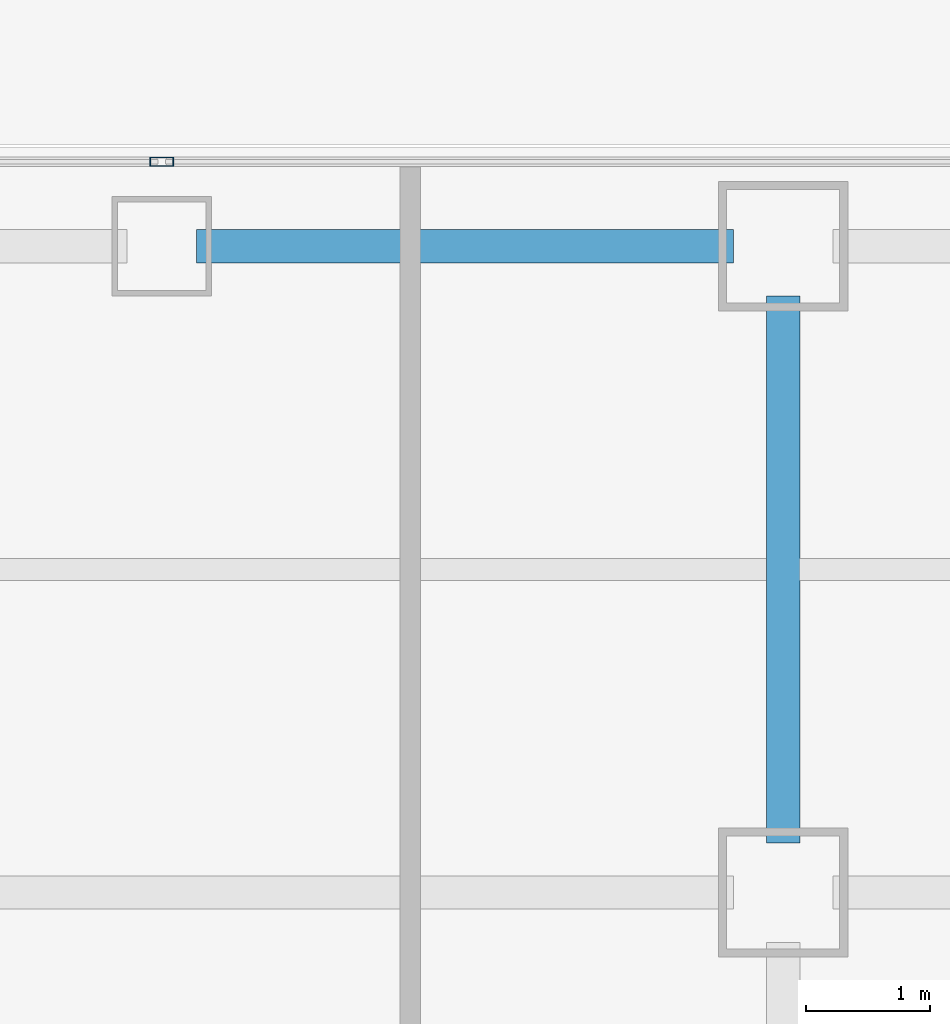
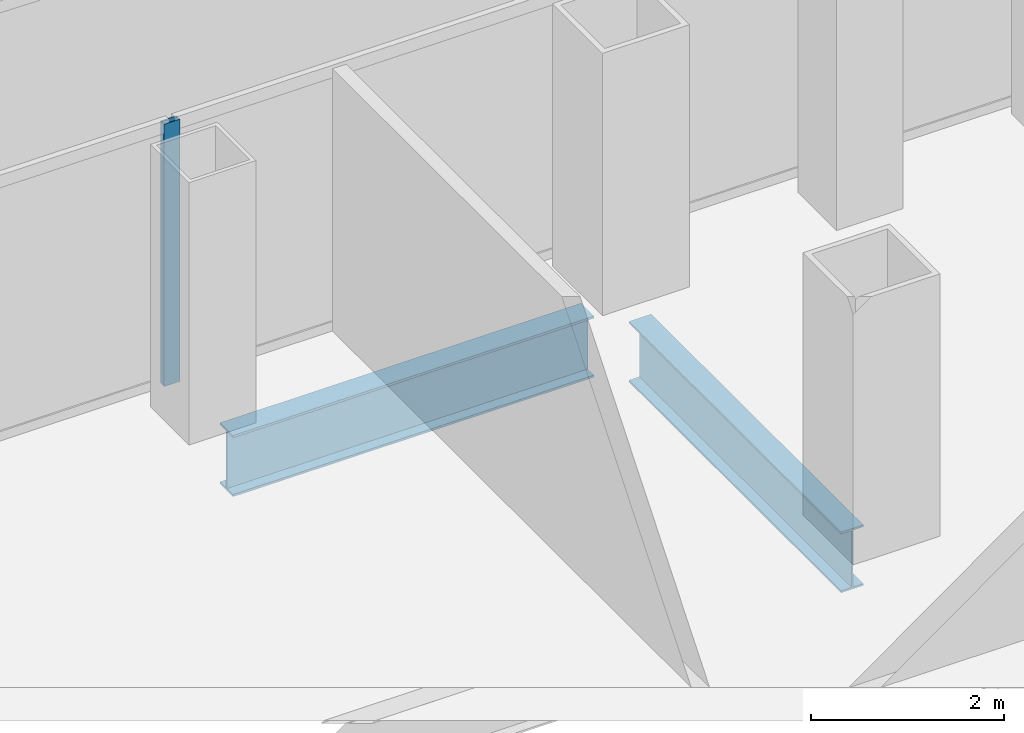
# One storey, part 13 of 21: 2 beams, 1 member, 1 element without a shape of its own.
"""IFC4 building model written with IfcOpenShell, lengths in metres."""

import ifcopenshell
import ifcopenshell.guid

model = None  # the IFC model being written
_history = None  # IfcOwnerHistory: only IFC2X3 demands one
_inside = {}  # id of a spatial element -> (the spatial element, [elements in it])
_under = {}  # id of a project, library or spatial element -> (it, [spatial elements below it])
_declared = {}  # id of a project -> (the project, [libraries it declares])
_typed = {}  # id of a type object -> (the type object, [elements of that type])
_made_of = {}  # id of a material, layer set ... -> (it, [elements and type objects made of it])


def new_model(schema):
    """Start an empty IFC model of exactly this schema.

    Asked for "IFC4X3", IfcOpenShell would pick the latest addendum, in which some entities
    have other attributes; the version numbers below select the first issue.
    IFC2X3 requires an IfcOwnerHistory on every rooted entity: one is made here for all.
    """
    global model, _history
    if schema == "IFC4X3":
        model = ifcopenshell.file(schema_version=(4, 3, 0, 0))
    else:
        model = ifcopenshell.file(schema=schema)
    _inside.clear()
    _under.clear()
    _declared.clear()
    _typed.clear()
    _made_of.clear()
    _history = None
    if model.schema == "IFC2X3":
        org = make("IfcOrganization", Name="unknown")
        user = make(
            "IfcPersonAndOrganization",
            ThePerson=make("IfcPerson", FamilyName="unknown"),
            TheOrganization=org,
        )
        app = make(
            "IfcApplication",
            ApplicationDeveloper=org,
            Version="unknown",
            ApplicationFullName="unknown",
            ApplicationIdentifier="unknown",
        )
        _history = make(
            "IfcOwnerHistory",
            OwningUser=user,
            OwningApplication=app,
            ChangeAction="ADDED",
            CreationDate=0,
        )
    return model


def make(cls, **values):
    """One entity of the class cls with the attributes given. An attribute that is None is left unset."""
    return model.create_entity(
        cls, **{name: value for name, value in values.items() if value is not None}
    )


def rooted(cls, **values):
    """An entity with a GlobalId (a new one), such as an element, a storey or a relation."""
    return make(cls, GlobalId=ifcopenshell.guid.new(), OwnerHistory=_history, **values)


def si_unit(unit_type, name, prefix=None):
    """IfcSIUnit, for example si_unit("LENGTHUNIT", "METRE", prefix="MILLI")."""
    return make("IfcSIUnit", UnitType=unit_type, Prefix=prefix, Name=name)


def assignment(units):
    """IfcUnitAssignment: the units of a project."""
    return None if units is None else make("IfcUnitAssignment", Units=units)


def point(xyz):
    """IfcCartesianPoint."""
    return None if xyz is None else make("IfcCartesianPoint", Coordinates=xyz)


def direction(xyz):
    """IfcDirection."""
    return None if xyz is None else make("IfcDirection", DirectionRatios=xyz)


def frame(location, z_axis=None, x_axis=None):
    """IfcAxis2Placement3D, a coordinate frame: its origin and axes. An axis left out is left unset."""
    return make(
        "IfcAxis2Placement3D",
        Location=point(location),
        Axis=direction(z_axis),
        RefDirection=direction(x_axis),
    )


def frame_2d(location, x_axis=None):
    """IfcAxis2Placement2D, a coordinate frame in the plane: its origin and x axis."""
    return make(
        "IfcAxis2Placement2D", Location=point(location), RefDirection=direction(x_axis)
    )


def origin():
    """The frame at (0, 0, 0) with its axes left unset."""
    return frame((0.0, 0.0, 0.0))


def origin_2d():
    """The frame at (0, 0) in the plane with its x axis left unset."""
    return frame_2d((0.0, 0.0))


def place(relative_to, where):
    """IfcLocalPlacement: puts the frame where relative to a parent placement (None: the world)."""
    return make(
        "IfcLocalPlacement", PlacementRelTo=relative_to, RelativePlacement=where
    )


def context(
    kind, dimensions, precision=None, world=None, true_north=None, identifier=None
):
    """IfcGeometricRepresentationContext, for example the 3D "Model" context."""
    return make(
        "IfcGeometricRepresentationContext",
        ContextIdentifier=identifier,
        ContextType=kind,
        CoordinateSpaceDimension=dimensions,
        Precision=precision,
        WorldCoordinateSystem=world,
        TrueNorth=true_north,
    )


def subcontext(parent, identifier, kind, view, scale=None):
    """IfcGeometricRepresentationSubContext, for example "Body" below "Model"."""
    return make(
        "IfcGeometricRepresentationSubContext",
        ContextIdentifier=identifier,
        ContextType=kind,
        ParentContext=parent,
        TargetScale=scale,
        TargetView=view,
    )


def project(units=None, contexts=None):
    """IfcProject with its units and contexts."""
    return rooted(
        "IfcProject",
        Name="project",
        RepresentationContexts=contexts,
        UnitsInContext=assignment(units),
    )


def spatial(cls, under=None, at=None, **own):
    """A site, building, storey or space (cls), placed at a placement, below another one or the project."""
    s = rooted(cls, ObjectPlacement=at, **own)
    if under is not None:
        _under.setdefault(under.id(), (under, []))[1].append(s)
    return s


def profile(cls, at=None, kind="AREA", **sizes):
    """A parametric profile (cls). Its sizes go by their IFC names, for example OverallWidth=200.0."""
    return make(cls, ProfileType=kind, Position=at, **sizes)


def hollow_rectangle(**sizes):
    """IfcRectangleHollowProfileDef."""
    return profile("IfcRectangleHollowProfileDef", **sizes)


def i_section(**sizes):
    """IfcIShapeProfileDef."""
    return profile("IfcIShapeProfileDef", **sizes)


def extrude(swept, where, along, depth):
    """IfcExtrudedAreaSolid: the profile swept, set in the frame where, extruded along a direction by depth."""
    return make(
        "IfcExtrudedAreaSolid",
        SweptArea=swept,
        Position=where,
        ExtrudedDirection=direction(along),
        Depth=depth,
    )


def shape(context_of_items, identifier, shape_type, items):
    """IfcShapeRepresentation: the items that make up one representation, for example the "Body"."""
    return make(
        "IfcShapeRepresentation",
        ContextOfItems=context_of_items,
        RepresentationIdentifier=identifier,
        RepresentationType=shape_type,
        Items=items,
    )


def source(mapping_origin, context_of_items, identifier, shape_type, items):
    """IfcRepresentationMap: a shape defined once, which mapped items show again and again."""
    return make(
        "IfcRepresentationMap",
        MappingOrigin=mapping_origin,
        MappedRepresentation=shape(context_of_items, identifier, shape_type, items),
    )


def transform(
    local_origin,
    x_axis=None,
    y_axis=None,
    z_axis=None,
    scale=None,
    scale2=None,
    scale3=None,
    uniform=True,
):
    """IfcCartesianTransformationOperator3D, or its non-uniform kind. x_axis, y_axis, z_axis: its Axis1, 2, 3."""
    if uniform:
        return make(
            "IfcCartesianTransformationOperator3D",
            Axis1=direction(x_axis),
            Axis2=direction(y_axis),
            LocalOrigin=point(local_origin),
            Scale=scale,
            Axis3=direction(z_axis),
        )
    return make(
        "IfcCartesianTransformationOperator3DnonUniform",
        Axis1=direction(x_axis),
        Axis2=direction(y_axis),
        LocalOrigin=point(local_origin),
        Scale=scale,
        Axis3=direction(z_axis),
        Scale2=scale2,
        Scale3=scale3,
    )


def mapped(mapping_source, mapping_target):
    """IfcMappedItem: shows the shape of a source again, moved by a transform."""
    return make(
        "IfcMappedItem", MappingSource=mapping_source, MappingTarget=mapping_target
    )


def material(Name=None, Category=None):
    """IfcMaterial."""
    return make("IfcMaterial", Name=Name, Category=Category)


def layer(
    of_material, thickness, ventilated=None, Name=None, Category=None, Priority=None
):
    """IfcMaterialLayer: one layer of a wall or slab, of a material (None: an air gap)."""
    return make(
        "IfcMaterialLayer",
        Material=of_material,
        LayerThickness=thickness,
        IsVentilated=ventilated,
        Name=Name,
        Category=Category,
        Priority=Priority,
    )


def layer_set(layers, Name=None):
    """IfcMaterialLayerSet."""
    return make("IfcMaterialLayerSet", MaterialLayers=layers, LayerSetName=Name)


def material_profile(
    of_material, cross_section, Name=None, Category=None, Priority=None
):
    """IfcMaterialProfile: a cross section and its material."""
    return make(
        "IfcMaterialProfile",
        Name=Name,
        Material=of_material,
        Profile=cross_section,
        Priority=Priority,
        Category=Category,
    )


def profile_set(profiles, Name=None, composite=None):
    """IfcMaterialProfileSet."""
    return make(
        "IfcMaterialProfileSet",
        Name=Name,
        MaterialProfiles=profiles,
        CompositeProfile=composite,
    )


def made_of(thing, what):
    """Note that an element or type object is made of a material, layer set ...; save() writes the relation."""
    if what is not None:
        _made_of.setdefault(what.id(), (what, []))[1].append(thing)
    return thing


def type_object(cls, material=None, **own):
    """A type object (cls), such as IfcWallType, which elements share."""
    return made_of(rooted(cls, **own), material)


def element(
    cls,
    number,
    at=None,
    inside=None,
    cuts=None,
    type_object=None,
    material=None,
    context=None,
    identifier="Body",
    shape_type=None,
    held_by="IfcProductDefinitionShape",
    body=None,
    shapes=None,
    **own,
):
    """One element of the class cls, such as IfcWall. Its Tag is "e" and its number.

    at: its placement. inside: the storey or other place that contains it. cuts: it is an
    opening in that element (IfcRelVoidsElement). A single representation is given by context,
    identifier, shape_type and body (its items); several are given by shapes. held_by: the class
    of the entity that holds the representations. save() writes the other relations.
    """
    e = rooted(cls, Tag="e%d" % number, ObjectPlacement=at, **own)
    if body is not None:
        shapes = [shape(context, identifier, shape_type, body)]
    if shapes is not None:
        e.Representation = make(held_by, Representations=shapes)
    if inside is not None:
        _inside.setdefault(inside.id(), (inside, []))[1].append(e)
    if cuts is not None:
        rooted(
            "IfcRelVoidsElement", RelatingBuildingElement=cuts, RelatedOpeningElement=e
        )
    if type_object is not None:
        _typed.setdefault(type_object.id(), (type_object, []))[1].append(e)
    return made_of(e, material)


def aggregate(whole, parts):
    """IfcRelAggregates: a whole, such as a stair, and the parts it consists of."""
    return rooted("IfcRelAggregates", RelatingObject=whole, RelatedObjects=parts)


def save(model, path):
    """Write the relations noted so far, then the file.

    IfcRelAggregates (storeys below a building ...), IfcRelContainedInSpatialStructure (elements
    in a storey), IfcRelDefinesByType, IfcRelAssociatesMaterial and IfcRelDeclares: one each for
    every whole, place, type object, material and project.
    """
    for whole, parts in _under.values():
        aggregate(whole, parts)
    for where, things in _inside.values():
        rooted(
            "IfcRelContainedInSpatialStructure",
            RelatedElements=things,
            RelatingStructure=where,
        )
    for kind, things in _typed.values():
        rooted("IfcRelDefinesByType", RelatedObjects=things, RelatingType=kind)
    for what, things in _made_of.values():
        rooted("IfcRelAssociatesMaterial", RelatedObjects=things, RelatingMaterial=what)
    for by, libraries in _declared.values():
        rooted("IfcRelDeclares", RelatingContext=by, RelatedDefinitions=libraries)
    model.write(path)


model = new_model("IFC4")

# Units and contexts
model_context = context("Model", 3, precision=1e-05, world=origin(), true_north=direction((0.0, 1.0)))
body_context = subcontext(model_context, "Body", "Model", "MODEL_VIEW")
ifc_project = project(units=[si_unit("LENGTHUNIT", "METRE"), si_unit("AREAUNIT", "SQUARE_METRE"), si_unit("VOLUMEUNIT", "CUBIC_METRE"), si_unit("PLANEANGLEUNIT", "RADIAN"), si_unit("MASSUNIT", "GRAM", prefix="KILO")], contexts=[model_context])

# Site, building, storey
site_placement = place(None, origin())
site = spatial("IfcSite", under=ifc_project, at=site_placement, CompositionType="ELEMENT")
building_placement = place(site_placement, origin())
building = spatial("IfcBuilding", under=site, at=building_placement, Name="Kolveth Station Tower", CompositionType="ELEMENT")
storey_placement = place(building_placement, frame((0.0, 0.0, 44.10009765625)))
storey = spatial("IfcBuildingStorey", under=building, at=storey_placement, Name="L11", CompositionType="ELEMENT", Elevation=44.10009765625)

# Beams
ifc_material_1 = material(Name="Steel S355", Category="steel")
ifc_material_profile_1 = material_profile(ifc_material_1, i_section(OverallWidth=0.26904296875, OverallDepth=0.77490234375, WebThickness=0.01708984375, FlangeThickness=0.0283203125, at=origin_2d()), Name="W760x220")
ifc_profile_set_1 = profile_set([ifc_material_profile_1], Name="Steel S355")
beam_type_1 = type_object("IfcBeamType", Name="Beam_SP1", PredefinedType="SPANDREL", material=ifc_profile_set_1)
shared_shape_1 = source(origin(), body_context, "Body", "SweptSolid", [
    extrude(i_section(OverallWidth=0.26904296875, OverallDepth=0.77490234375, WebThickness=0.01708984375, FlangeThickness=0.0283203125, at=origin_2d()), origin(), (0.0, 0.0, 1.0), 4.320068359375),
])
beam_1_placement = place(storey_placement, frame((23.780029296875, 39.699951171875, -0.66748046875), z_axis=(1.0, 0.0, 0.0), x_axis=(0.0, 1.0, 0.0)))
element("IfcBeam", 1, at=beam_1_placement, inside=storey, type_object=beam_type_1, Name="L11 Perimeter Spandrel BM-L11-PN-6", PredefinedType="SPANDREL", context=body_context, shape_type="MappedRepresentation", body=[
    mapped(shared_shape_1, transform((0.0, 0.0, 0.0), x_axis=(1.0, 0.0, 0.0), y_axis=(0.0, 1.0, 0.0), z_axis=(0.0, 0.0, 1.0), scale=1.0)),
])
ifc_material_profile_2 = material_profile(ifc_material_1, i_section(OverallWidth=0.26708984375, OverallDepth=0.76611328125, WebThickness=0.014892578125, FlangeThickness=0.023681640625, at=origin_2d()), Name="W760x185")
ifc_profile_set_2 = profile_set([ifc_material_profile_2], Name="Steel S355")
beam_type_2 = type_object("IfcBeamType", Name="Beam_B3", PredefinedType="BEAM", material=ifc_profile_set_2)
shared_shape_2 = source(origin(), body_context, "Body", "SweptSolid", [
    extrude(i_section(OverallWidth=0.26708984375, OverallDepth=0.76611328125, WebThickness=0.014892578125, FlangeThickness=0.023681640625, at=origin_2d()), origin(), (0.0, 0.0, 1.0), 4.400146484375),
])
beam_2_placement = place(storey_placement, frame((28.5, 34.89990234375, -0.6630859375), z_axis=(0.0, 1.0, 0.0), x_axis=(-1.0, 0.0, 0.0)))
element("IfcBeam", 2, at=beam_2_placement, inside=storey, type_object=beam_type_2, Name="L11 Primary Girder BM-L11-GX285-7", PredefinedType="BEAM", context=body_context, shape_type="MappedRepresentation", body=[
    mapped(shared_shape_2, transform((0.0, 0.0, 0.0), x_axis=(1.0, 0.0, 0.0), y_axis=(0.0, 1.0, 0.0), z_axis=(0.0, 0.0, 1.0), scale=1.0)),
])

# Curtain wall, member
ifc_material_2 = material(Name="Aluminium 6063-T6 and low-E dark glass", Category="aluminium")
ifc_layer = layer(ifc_material_2, 0.179931640625)
ifc_layer_set = layer_set([ifc_layer], Name="Aluminium 6063-T6 and low-E dark glass")
curtain_wall_type = type_object("IfcCurtainWallType", Name="CurtainWall_CW-Z1", PredefinedType="NOTDEFINED", material=ifc_layer_set)
curtain_wall_placement = place(storey_placement, origin())
curtain_wall = element("IfcCurtainWall", 3, at=curtain_wall_placement, inside=storey, type_object=curtain_wall_type, Name="L11 Inner Thermal Curtain Wall 6", PredefinedType="NOTDEFINED")
ifc_material_3 = material(Name="Black anodized aluminium 6063-T6", Category="aluminium")
ifc_material_profile_3 = material_profile(ifc_material_3, hollow_rectangle(XDim=0.074951171875, YDim=0.18994140625, WallThickness=0.0048828125, at=origin_2d()), Name="ALU-75x190x5")
ifc_profile_set_3 = profile_set([ifc_material_profile_3], Name="Black anodized aluminium 6063-T6")
member_type = type_object("IfcMemberType", Name="Mullion_ML1", PredefinedType="MULLION", material=ifc_profile_set_3)
shared_shape_3 = source(origin(), body_context, "Body", "SweptSolid", [
    extrude(hollow_rectangle(XDim=0.074951171875, YDim=0.18994140625, WallThickness=0.0048828125, at=origin_2d()), origin(), (0.0, 0.0, 1.0), 3.31982421875),
])
member_placement = place(storey_placement, frame((23.5, 40.3798828125, 0.0), z_axis=(0.0, 0.0, 1.0), x_axis=(0.0, -1.0, 0.0)))
member = element("IfcMember", 4, at=member_placement, type_object=member_type, Name="CW-Z1 mullion 2", PredefinedType="MULLION", context=body_context, shape_type="MappedRepresentation", body=[
    mapped(shared_shape_3, transform((0.0, 0.0, 0.0), x_axis=(1.0, 0.0, 0.0), y_axis=(0.0, 1.0, 0.0), z_axis=(0.0, 0.0, 1.0), scale=1.0)),
])
aggregate(curtain_wall, [member])

save(model, "model.ifc")
